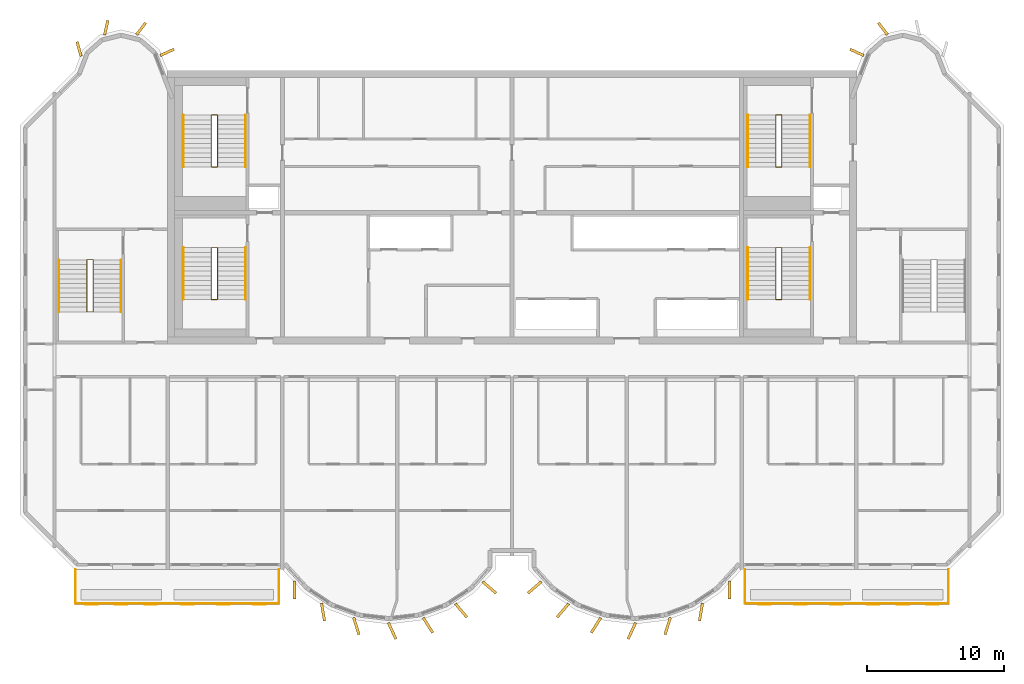
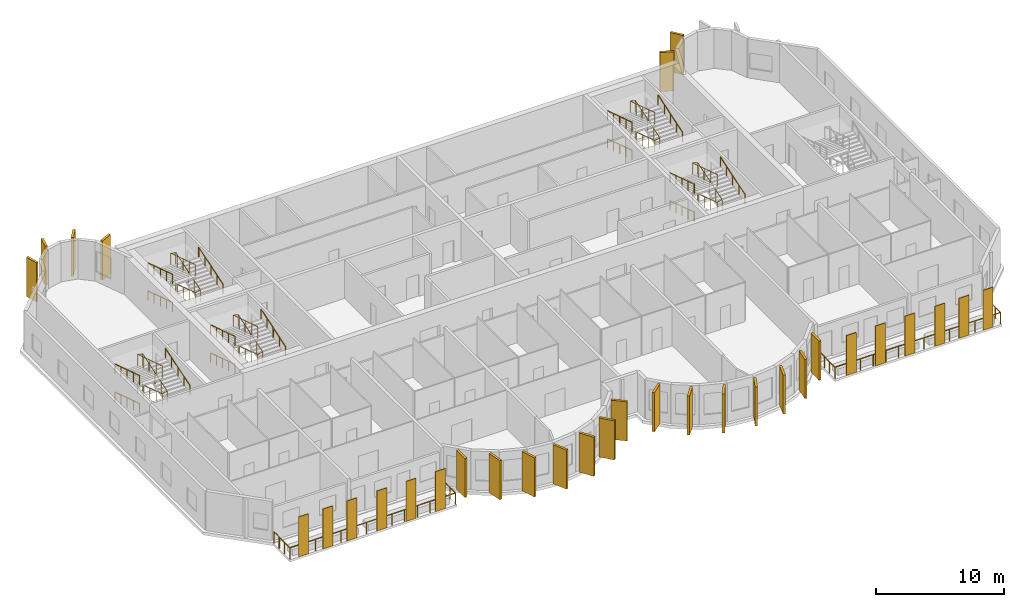
# One storey, part 10 of 12: 32 coverings, 22 railings.
"""IFC4 building model written with IfcOpenShell, lengths in metres."""

from ifc_helpers import new_model, si_unit, direction, frame, origin, origin_2d, place, context, subcontext, project, spatial, rectangle, circle, extrude, source, transform, mapped, material, layer, layer_set, material_profile, profile_set, type_object, element, save


model = new_model("IFC4")

# Units and contexts
model_context = context("Model", 3, precision=1e-05, world=origin(), true_north=direction((0.0, 1.0)))
body_context = subcontext(model_context, "Body", "Model", "MODEL_VIEW")
ifc_project = project(units=[si_unit("LENGTHUNIT", "METRE"), si_unit("AREAUNIT", "SQUARE_METRE"), si_unit("VOLUMEUNIT", "CUBIC_METRE"), si_unit("PLANEANGLEUNIT", "RADIAN"), si_unit("MASSUNIT", "GRAM", prefix="KILO")], contexts=[model_context])

# Site, building, storey
site_placement = place(None, origin())
site = spatial("IfcSite", under=ifc_project, at=site_placement, CompositionType="ELEMENT")
building_placement = place(site_placement, origin())
building = spatial("IfcBuilding", under=site, at=building_placement, Name="Vanashikhar Sky Hotel", CompositionType="ELEMENT")
storey_placement = place(building_placement, frame((0.0, 0.0, 285.699951171875)))
storey = spatial("IfcBuildingStorey", under=building, at=storey_placement, Name="L68", CompositionType="ELEMENT", Elevation=285.699951171875)

# Railings
ifc_material_1 = material(Name="Stainless steel 316", Category="steel")
railing_type_1 = type_object("IfcRailingType", Name="Balcony guard 1100", PredefinedType="GUARDRAIL", material=ifc_material_1)
shared_shape_1 = source(origin(), body_context, "Body", "SweptSolid", [
    extrude(circle(Radius=0.02392578125, at=origin_2d()), frame((0.0, 0.0, 1.076171875), z_axis=(0.0, -1.0, 0.0), x_axis=(1.0, 0.0, 0.0)), (0.0, 0.0, 1.0), 2.5),
    extrude(circle(Radius=0.02392578125, at=origin_2d()), frame((0.0, -2.5, 1.076171875), z_axis=(1.0, 0.0, 0.0), x_axis=(0.0, 1.0, 0.0)), (0.0, 0.0, 1.0), 14.880126953125),
    extrude(circle(Radius=0.02392578125, at=origin_2d()), frame((14.880126953125, -2.5, 1.076171875), z_axis=(0.0, 1.0, 0.0), x_axis=(-1.0, 0.0, 0.0)), (0.0, 0.0, 1.0), 2.5),
    extrude(circle(Radius=0.02099609375, at=origin_2d()), origin(), (0.0, 0.0, 1.0), 1.052001953125),
    extrude(circle(Radius=0.02099609375, at=origin_2d()), frame((0.0, -0.833251953125, 0.0)), (0.0, 0.0, 1.0), 1.052001953125),
    extrude(circle(Radius=0.02099609375, at=origin_2d()), frame((0.0, -1.666748046875, 0.0)), (0.0, 0.0, 1.0), 1.052001953125),
    extrude(circle(Radius=0.02099609375, at=origin_2d()), frame((0.0, -2.5, 0.0)), (0.0, 0.0, 1.0), 1.052001953125),
    extrude(circle(Radius=0.02099609375, at=origin_2d()), frame((1.14453125, -2.5, 0.0)), (0.0, 0.0, 1.0), 1.052001953125),
    extrude(circle(Radius=0.02099609375, at=origin_2d()), frame((2.289306640625, -2.5, 0.0)), (0.0, 0.0, 1.0), 1.052001953125),
    extrude(circle(Radius=0.02099609375, at=origin_2d()), frame((3.433837890625, -2.5, 0.0)), (0.0, 0.0, 1.0), 1.052001953125),
    extrude(circle(Radius=0.02099609375, at=origin_2d()), frame((4.57861328125, -2.5, 0.0)), (0.0, 0.0, 1.0), 1.052001953125),
    extrude(circle(Radius=0.02099609375, at=origin_2d()), frame((5.72314453125, -2.5, 0.0)), (0.0, 0.0, 1.0), 1.052001953125),
    extrude(circle(Radius=0.02099609375, at=origin_2d()), frame((6.86767578125, -2.5, 0.0)), (0.0, 0.0, 1.0), 1.052001953125),
    extrude(circle(Radius=0.02099609375, at=origin_2d()), frame((8.012451171875, -2.5, 0.0)), (0.0, 0.0, 1.0), 1.052001953125),
    extrude(circle(Radius=0.02099609375, at=origin_2d()), frame((9.156982421875, -2.5, 0.0)), (0.0, 0.0, 1.0), 1.052001953125),
    extrude(circle(Radius=0.02099609375, at=origin_2d()), frame((10.301513671875, -2.5, 0.0)), (0.0, 0.0, 1.0), 1.052001953125),
    extrude(circle(Radius=0.02099609375, at=origin_2d()), frame((11.4462890625, -2.5, 0.0)), (0.0, 0.0, 1.0), 1.052001953125),
    extrude(circle(Radius=0.02099609375, at=origin_2d()), frame((12.5908203125, -2.5, 0.0)), (0.0, 0.0, 1.0), 1.052001953125),
    extrude(circle(Radius=0.02099609375, at=origin_2d()), frame((13.735595703125, -2.5, 0.0)), (0.0, 0.0, 1.0), 1.052001953125),
    extrude(circle(Radius=0.02099609375, at=origin_2d()), frame((14.880126953125, -2.5, 0.0)), (0.0, 0.0, 1.0), 1.052001953125),
    extrude(circle(Radius=0.02099609375, at=origin_2d()), frame((14.880126953125, -1.666748046875, 0.0)), (0.0, 0.0, 1.0), 1.052001953125),
    extrude(circle(Radius=0.02099609375, at=origin_2d()), frame((14.880126953125, -0.833251953125, 0.0)), (0.0, 0.0, 1.0), 1.052001953125),
    extrude(circle(Radius=0.02099609375, at=origin_2d()), frame((14.880126953125, 0.0, 0.0)), (0.0, 0.0, 1.0), 1.052001953125),
])
for number, where, name in (
    (1, (18.4599609375, 5.5, -0.050048828125), "Balcony guard"),
    (2, (67.4599609375, 5.5, -0.050048828125), "Balcony guard"),
):
    element("IfcRailing", number, at=place(storey_placement, frame(where)), inside=storey, type_object=railing_type_1, Name=name, PredefinedType="GUARDRAIL", context=body_context, shape_type="MappedRepresentation", body=[
        mapped(shared_shape_1, transform((0.0, 0.0, 0.0), scale=1.0)),
    ])

# Coverings
ifc_material_2 = material(Name="Terracotta", Category="masonry")
ifc_layer = layer(ifc_material_2, 0.06005859375)
ifc_layer_set = layer_set([ifc_layer], Name="Terracotta baguette screen")
covering_type_1 = type_object("IfcCoveringType", Name="Terracotta baguette screen", PredefinedType="CLADDING", material=ifc_layer_set)
shared_shape_2 = source(origin(), body_context, "Body", "SweptSolid", [
    extrude(rectangle(XDim=0.89990234375, YDim=0.06005859375, at=origin_2d()), origin(), (0.0, 0.0, 1.0), 3.800048828125),
])
for number, where, z_axis, x_axis, name in (
    (3, (19.63330078125, 2.929931640625, -0.0498046875), (0.0, 0.0, 1.0), (1.0, 0.0, 0.0), "Terracotta screen"),
    (4, (21.800048828125, 2.929931640625, -0.0498046875), (0.0, 0.0, 1.0), (1.0, 0.0, 0.0), "Terracotta screen"),
    (5, (23.966796875, 2.929931640625, -0.0498046875), (0.0, 0.0, 1.0), (1.0, 0.0, 0.0), "Terracotta screen"),
    (6, (26.666748046875, 2.929931640625, -0.0498046875), (0.0, 0.0, 1.0), (1.0, 0.0, 0.0), "Terracotta screen"),
    (7, (29.300048828125, 2.929931640625, -0.0498046875), (0.0, 0.0, 1.0), (1.0, 0.0, 0.0), "Terracotta screen"),
    (8, (31.933349609375, 2.929931640625, -0.0498046875), (0.0, 0.0, 1.0), (1.0, 0.0, 0.0), "Terracotta screen"),
    (9, (68.86669921875, 2.929931640625, -0.0498046875), (0.0, 0.0, 1.0), (1.0, 0.0, 0.0), "Terracotta screen"),
    (10, (71.5, 2.929931640625, -0.0498046875), (0.0, 0.0, 1.0), (1.0, 0.0, 0.0), "Terracotta screen"),
    (11, (74.13330078125, 2.929931640625, -0.0498046875), (0.0, 0.0, 1.0), (1.0, 0.0, 0.0), "Terracotta screen"),
    (12, (76.833251953125, 2.929931640625, -0.0498046875), (0.0, 0.0, 1.0), (1.0, 0.0, 0.0), "Terracotta screen"),
    (13, (79.0, 2.929931640625, -0.0498046875), (0.0, 0.0, 1.0), (1.0, 0.0, 0.0), "Terracotta screen"),
    (14, (81.166748046875, 2.929931640625, -0.0498046875), (0.0, 0.0, 1.0), (1.0, 0.0, 0.0), "Terracotta screen"),
):
    element("IfcCovering", number, at=place(storey_placement, frame(where, z_axis=z_axis, x_axis=x_axis)), inside=storey, type_object=covering_type_1, Name=name, PredefinedType="CLADDING", context=body_context, shape_type="MappedRepresentation", body=[
        mapped(shared_shape_2, transform((0.0, 0.0, 0.0), scale=1.0)),
    ])
ifc_material_3 = material(Name="Concrete M60 dark", Category="concrete")
ifc_material_profile_1 = material_profile(ifc_material_3, rectangle(XDim=1.300048828125, YDim=0.199951171875, at=origin_2d()))
ifc_profile_set_1 = profile_set([ifc_material_profile_1], Name="Fin 1300 x 200")
covering_type_2 = type_object("IfcCoveringType", Name="Fin 1300 x 200", PredefinedType="CLADDING", material=ifc_profile_set_1)
shared_shape_3 = source(origin(), body_context, "Body", "SweptSolid", [
    extrude(rectangle(XDim=1.300048828125, YDim=0.199951171875, at=origin_2d()), origin(), (0.0, 0.0, 1.0), 3.719970703125),
])
for number, where, z_axis, x_axis, name in (
    (15, (34.482421875, 3.992919921875, 0.0), (0.0, 0.0, 1.0), (0.011588726826, -0.999932848451, 0.0), "Fin F1-1"),
    (16, (36.572509765625, 2.3779296875, 0.0), (0.0, 0.0, 1.0), (0.16989991575, -0.985461322746, 0.0), "Fin F1-2"),
    (17, (39.00830078125, 1.35693359375, 0.0), (0.0, 0.0, 1.0), (0.303966551867, -0.952682704444, 0.0), "Fin F1-3"),
    (18, (41.63232421875, 1.00146484375, 0.0), (0.0, 0.0, 1.0), (0.422618261741, -0.906307787037, 0.0), "Fin F1-4"),
    (19, (44.251953125, 1.416015625, 0.0), (0.0, 0.0, 1.0), (0.534411358496, -0.845224526331, 0.0), "Fin F1-5"),
    (20, (46.676025390625, 2.5, 0.0), (0.0, 0.0, 1.0), (0.645697609467, -0.763593214433, 0.0), "Fin F1-6"),
    (21, (48.7412109375, 4.1845703125, 0.0), (0.0, 0.0, 1.0), (0.758543912032, -0.65162192529, 0.0), "Fin F1-7"),
    (22, (52.058837890625, 4.1845703125, 0.0), (0.0, 0.0, 1.0), (-0.758543912032, -0.65162192529, 0.0), "Fin F2-1"),
    (23, (54.123779296875, 2.5, 0.0), (0.0, 0.0, 1.0), (-0.645697609467, -0.763593214433, 0.0), "Fin F2-2"),
    (24, (56.547119140625, 1.416015625, 0.0), (0.0, 0.0, 1.0), (-0.534411358496, -0.845224526331, 0.0), "Fin F2-3"),
    (25, (59.16748046875, 1.00146484375, 0.0), (0.0, 0.0, 1.0), (-0.422618261741, -0.906307787037, 0.0), "Fin F2-4"),
    (26, (61.790771484375, 1.35693359375, 0.0), (0.0, 0.0, 1.0), (-0.303966551867, -0.952682704444, 0.0), "Fin F2-5"),
    (27, (64.2275390625, 2.3779296875, 0.0), (0.0, 0.0, 1.0), (-0.16989991575, -0.985461322746, 0.0), "Fin F2-6"),
    (28, (66.317626953125, 3.992919921875, 0.0), (0.0, 0.0, 1.0), (-0.011588726826, -0.999932848451, 0.0), "Fin F2-7"),
):
    element("IfcCovering", number, at=place(storey_placement, frame(where, z_axis=z_axis, x_axis=x_axis)), inside=storey, type_object=covering_type_2, Name=name, PredefinedType="CLADDING", context=body_context, shape_type="MappedRepresentation", body=[
        mapped(shared_shape_3, transform((0.0, 0.0, 0.0), scale=1.0)),
    ])
ifc_material_profile_2 = material_profile(ifc_material_3, rectangle(XDim=1.10009765625, YDim=0.199951171875, at=origin_2d()))
ifc_profile_set_2 = profile_set([ifc_material_profile_2], Name="Rear lobe fin 1100 x 200")
covering_type_3 = type_object("IfcCoveringType", Name="Rear lobe fin 1100 x 200", PredefinedType="CLADDING", material=ifc_profile_set_2)
shared_shape_4 = source(origin(), body_context, "Body", "SweptSolid", [
    extrude(rectangle(XDim=1.10009765625, YDim=0.199951171875, at=origin_2d()), origin(), (0.0, 0.0, 1.0), 3.719970703125),
])
for number, where, z_axis, x_axis, name in (
    (29, (18.720703125, 43.580078125, 0.0), (0.0, 0.0, 1.0), (-0.262711264409, 0.964874495234, 0.0), "Fin R1-1"),
    (30, (20.710205078125, 45.1455078125, 0.0), (0.0, 0.0, 1.0), (0.224644935864, 0.974440687159, 0.0), "Fin R1-2"),
    (31, (23.261962890625, 45.06640625, 0.0), (0.0, 0.0, 1.0), (0.602065892195, 0.798446404874, 0.0), "Fin R1-3"),
    (32, (25.169677734375, 43.33447265625, 0.0), (0.0, 0.0, 1.0), (0.908004291068, 0.418960866193, 0.0), "Fin R1-4"),
    (33, (75.63037109375, 43.33447265625, 0.0), (0.0, 0.0, 1.0), (-0.908004291068, 0.418960866193, 0.0), "Fin R2-1"),
    (34, (77.5380859375, 45.06640625, 0.0), (0.0, 0.0, 1.0), (-0.602065892195, 0.798446404874, 0.0), "Fin R2-2"),
):
    element("IfcCovering", number, at=place(storey_placement, frame(where, z_axis=z_axis, x_axis=x_axis)), inside=storey, type_object=covering_type_3, Name=name, PredefinedType="CLADDING", context=body_context, shape_type="MappedRepresentation", body=[
        mapped(shared_shape_4, transform((0.0, 0.0, 0.0), scale=1.0)),
    ])

# Railings
ifc_material_4 = material(Name="Steel S355", Category="steel")
railing_type_2 = type_object("IfcRailingType", Name="Stair guard 1100", PredefinedType="GUARDRAIL", material=ifc_material_4)
shared_shape_5 = source(origin(), body_context, "Body", "SweptSolid", [
    extrude(circle(Radius=0.02392578125, at=origin_2d()), frame((0.0, 0.0, 1.076171875), z_axis=(-0.970881249867, 0.0, 0.239561262847), x_axis=(0.0, -1.0, 0.0)), (0.0, 0.0, 1.0), 0.463623046875),
    extrude(circle(Radius=0.02392578125, at=origin_2d()), frame((-0.4501953125, 0.0, 1.18701171875), z_axis=(0.0, -0.95195790124, 0.306228924607), x_axis=(1.0, 0.0, 0.0)), (0.0, 0.0, 1.0), 3.991943359375),
    extrude(circle(Radius=0.02392578125, at=origin_2d()), frame((-0.4501953125, -3.800048828125, 2.40966796875), z_axis=(0.970881249867, 0.0, 0.239561262847), x_axis=(0.0, 1.0, 0.0)), (0.0, 0.0, 1.0), 0.463623046875),
    extrude(circle(Radius=0.02392578125, at=origin_2d()), frame((0.0, -3.800048828125, 2.5205078125), z_axis=(0.0, 0.95197572919, 0.306173498254), x_axis=(-1.0, 0.0, 0.0)), (0.0, 0.0, 1.0), 3.99169921875),
    extrude(circle(Radius=0.02392578125, at=origin_2d()), frame((0.0, 0.0, 3.74267578125), z_axis=(-0.970881249867, 0.0, 0.239561262847), x_axis=(0.0, -1.0, 0.0)), (0.0, 0.0, 1.0), 0.463623046875),
    extrude(circle(Radius=0.02392578125, at=origin_2d()), frame((-0.4501953125, 0.0, 3.85400390625), z_axis=(0.0, -0.95197572919, 0.306173498254), x_axis=(1.0, 0.0, 0.0)), (0.0, 0.0, 1.0), 3.99169921875),
    extrude(circle(Radius=0.02099609375, at=origin_2d()), origin(), (0.0, 0.0, 1.0), 1.052001953125),
    extrude(circle(Radius=0.02099609375, at=origin_2d()), frame((-0.4501953125, 0.0, 0.111083984375)), (0.0, 0.0, 1.0), 1.052001953125),
    extrude(circle(Radius=0.02099609375, at=origin_2d()), frame((-0.4501953125, -0.949951171875, 0.416748046875)), (0.0, 0.0, 1.0), 1.052001953125),
    extrude(circle(Radius=0.02099609375, at=origin_2d()), frame((-0.4501953125, -1.89990234375, 0.72216796875)), (0.0, 0.0, 1.0), 1.052001953125),
    extrude(circle(Radius=0.02099609375, at=origin_2d()), frame((-0.4501953125, -2.85009765625, 1.02783203125)), (0.0, 0.0, 1.0), 1.052001953125),
    extrude(circle(Radius=0.02099609375, at=origin_2d()), frame((-0.4501953125, -3.800048828125, 1.33349609375)), (0.0, 0.0, 1.0), 1.052001953125),
    extrude(circle(Radius=0.02099609375, at=origin_2d()), frame((0.0, -3.800048828125, 1.444580078125)), (0.0, 0.0, 1.0), 1.052001953125),
    extrude(circle(Radius=0.02099609375, at=origin_2d()), frame((0.0, -2.85009765625, 1.75)), (0.0, 0.0, 1.0), 1.052001953125),
    extrude(circle(Radius=0.02099609375, at=origin_2d()), frame((0.0, -1.89990234375, 2.0556640625)), (0.0, 0.0, 1.0), 1.052001953125),
    extrude(circle(Radius=0.02099609375, at=origin_2d()), frame((0.0, -0.949951171875, 2.361328125)), (0.0, 0.0, 1.0), 1.052001953125),
    extrude(circle(Radius=0.02099609375, at=origin_2d()), frame((0.0, 0.0, 2.666748046875)), (0.0, 0.0, 1.0), 1.052001953125),
    extrude(circle(Radius=0.02099609375, at=origin_2d()), frame((-0.4501953125, 0.0, 2.77783203125)), (0.0, 0.0, 1.0), 1.052001953125),
    extrude(circle(Radius=0.02099609375, at=origin_2d()), frame((-0.4501953125, -0.949951171875, 3.08349609375)), (0.0, 0.0, 1.0), 1.052001953125),
    extrude(circle(Radius=0.02099609375, at=origin_2d()), frame((-0.4501953125, -1.89990234375, 3.388916015625)), (0.0, 0.0, 1.0), 1.052001953125),
    extrude(circle(Radius=0.02099609375, at=origin_2d()), frame((-0.4501953125, -2.85009765625, 3.6943359375)), (0.0, 0.0, 1.0), 1.052001953125),
    extrude(circle(Radius=0.02099609375, at=origin_2d()), frame((-0.4501953125, -3.800048828125, 4.0)), (0.0, 0.0, 1.0), 1.052001953125),
])
for number, where, name in (
    (35, (28.85009765625, 29.050048828125, 0.0), "Exit stair 1 guard"),
    (36, (28.85009765625, 38.75, 0.0), "Exit stair 5 guard"),
):
    element("IfcRailing", number, at=place(storey_placement, frame(where)), inside=storey, type_object=railing_type_2, Name=name, PredefinedType="GUARDRAIL", context=body_context, shape_type="MappedRepresentation", body=[
        mapped(shared_shape_5, transform((0.0, 0.0, 0.0), scale=1.0)),
    ])
railing_type_3 = type_object("IfcRailingType", Name="Stair handrail 900", PredefinedType="HANDRAIL", material=ifc_material_4)
shared_shape_6 = source(origin(), body_context, "Body", "SweptSolid", [
    extrude(circle(Radius=0.02392578125, at=origin_2d()), frame((0.0, 0.0, 0.8759765625), z_axis=(0.0, -0.95195790124, 0.306228924607), x_axis=(1.0, 0.0, 0.0)), (0.0, 0.0, 1.0), 3.991943359375),
    extrude(circle(Radius=0.02099609375, at=origin_2d()), origin(), (0.0, 0.0, 1.0), 0.851806640625),
    extrude(circle(Radius=0.02099609375, at=origin_2d()), frame((0.0, -0.949951171875, 0.3056640625)), (0.0, 0.0, 1.0), 0.851806640625),
    extrude(circle(Radius=0.02099609375, at=origin_2d()), frame((0.0, -1.89990234375, 0.611328125)), (0.0, 0.0, 1.0), 0.851806640625),
    extrude(circle(Radius=0.02099609375, at=origin_2d()), frame((0.0, -2.85009765625, 0.916748046875)), (0.0, 0.0, 1.0), 0.851806640625),
    extrude(circle(Radius=0.02099609375, at=origin_2d()), frame((0.0, -3.800048828125, 1.222412109375)), (0.0, 0.0, 1.0), 0.851806640625),
])
for number, where, name in (
    (37, (26.35009765625, 29.050048828125, 0.111083984375), "Exit stair 1 handrail"),
    (38, (67.64990234375, 29.050048828125, 0.111083984375), "Exit stair 2 handrail"),
    (39, (26.35009765625, 38.75, 0.111083984375), "Exit stair 5 handrail"),
    (40, (67.64990234375, 38.75, 0.111083984375), "Exit stair 6 handrail"),
):
    element("IfcRailing", number, at=place(storey_placement, frame(where)), inside=storey, type_object=railing_type_3, Name=name, PredefinedType="HANDRAIL", context=body_context, shape_type="MappedRepresentation", body=[
        mapped(shared_shape_6, transform((0.0, 0.0, 0.0), scale=1.0)),
    ])
shared_shape_7 = source(origin(), body_context, "Body", "SweptSolid", [
    extrude(circle(Radius=0.02392578125, at=origin_2d()), frame((0.0, 0.0, 0.8759765625), z_axis=(0.0, 0.95197572919, 0.306173498254), x_axis=(-1.0, 0.0, 0.0)), (0.0, 0.0, 1.0), 3.99169921875),
    extrude(circle(Radius=0.02099609375, at=origin_2d()), origin(), (0.0, 0.0, 1.0), 0.851806640625),
    extrude(circle(Radius=0.02099609375, at=origin_2d()), frame((0.0, 0.949951171875, 0.3056640625)), (0.0, 0.0, 1.0), 0.851806640625),
    extrude(circle(Radius=0.02099609375, at=origin_2d()), frame((0.0, 1.89990234375, 0.611083984375)), (0.0, 0.0, 1.0), 0.851806640625),
    extrude(circle(Radius=0.02099609375, at=origin_2d()), frame((0.0, 2.85009765625, 0.91650390625)), (0.0, 0.0, 1.0), 0.851806640625),
    extrude(circle(Radius=0.02099609375, at=origin_2d()), frame((0.0, 3.800048828125, 1.22216796875)), (0.0, 0.0, 1.0), 0.851806640625),
])
for number, where, name in (
    (41, (30.89990234375, 25.25, 1.444580078125), "Exit stair 1 handrail"),
    (42, (72.199951171875, 25.25, 1.444580078125), "Exit stair 2 handrail"),
    (43, (30.89990234375, 34.949951171875, 1.444580078125), "Exit stair 5 handrail"),
    (44, (72.199951171875, 34.949951171875, 1.444580078125), "Exit stair 6 handrail"),
):
    element("IfcRailing", number, at=place(storey_placement, frame(where)), inside=storey, type_object=railing_type_3, Name=name, PredefinedType="HANDRAIL", context=body_context, shape_type="MappedRepresentation", body=[
        mapped(shared_shape_7, transform((0.0, 0.0, 0.0), scale=1.0)),
    ])
shared_shape_8 = source(origin(), body_context, "Body", "SweptSolid", [
    extrude(circle(Radius=0.02392578125, at=origin_2d()), frame((0.0, 0.0, 0.8759765625), z_axis=(0.0, -0.95197572919, 0.306173498254), x_axis=(1.0, 0.0, 0.0)), (0.0, 0.0, 1.0), 3.99169921875),
    extrude(circle(Radius=0.02099609375, at=origin_2d()), origin(), (0.0, 0.0, 1.0), 0.851806640625),
    extrude(circle(Radius=0.02099609375, at=origin_2d()), frame((0.0, -0.949951171875, 0.3056640625)), (0.0, 0.0, 1.0), 0.851806640625),
    extrude(circle(Radius=0.02099609375, at=origin_2d()), frame((0.0, -1.89990234375, 0.611083984375)), (0.0, 0.0, 1.0), 0.851806640625),
    extrude(circle(Radius=0.02099609375, at=origin_2d()), frame((0.0, -2.85009765625, 0.91650390625)), (0.0, 0.0, 1.0), 0.851806640625),
    extrude(circle(Radius=0.02099609375, at=origin_2d()), frame((0.0, -3.800048828125, 1.22216796875)), (0.0, 0.0, 1.0), 0.851806640625),
])
for number, where, name in (
    (45, (26.35009765625, 29.050048828125, 2.77783203125), "Exit stair 1 handrail"),
    (46, (67.64990234375, 29.050048828125, 2.77783203125), "Exit stair 2 handrail"),
    (47, (26.35009765625, 38.75, 2.77783203125), "Exit stair 5 handrail"),
    (48, (67.64990234375, 38.75, 2.77783203125), "Exit stair 6 handrail"),
):
    element("IfcRailing", number, at=place(storey_placement, frame(where)), inside=storey, type_object=railing_type_3, Name=name, PredefinedType="HANDRAIL", context=body_context, shape_type="MappedRepresentation", body=[
        mapped(shared_shape_8, transform((0.0, 0.0, 0.0), scale=1.0)),
    ])
shared_shape_9 = source(origin(), body_context, "Body", "SweptSolid", [
    extrude(circle(Radius=0.02392578125, at=origin_2d()), frame((0.0, 0.0, 1.076171875), z_axis=(-0.970851010584, 0.0, 0.239683781777), x_axis=(0.0, -1.0, 0.0)), (0.0, 0.0, 1.0), 0.46337890625),
    extrude(circle(Radius=0.02392578125, at=origin_2d()), frame((-0.449951171875, 0.0, 1.18701171875), z_axis=(0.0, -0.95195790124, 0.306228924607), x_axis=(1.0, 0.0, 0.0)), (0.0, 0.0, 1.0), 3.991943359375),
    extrude(circle(Radius=0.02392578125, at=origin_2d()), frame((-0.449951171875, -3.800048828125, 2.40966796875), z_axis=(0.970851010584, 0.0, 0.239683781777), x_axis=(0.0, 1.0, 0.0)), (0.0, 0.0, 1.0), 0.46337890625),
    extrude(circle(Radius=0.02392578125, at=origin_2d()), frame((0.0, -3.800048828125, 2.5205078125), z_axis=(0.0, 0.95197572919, 0.306173498254), x_axis=(-1.0, 0.0, 0.0)), (0.0, 0.0, 1.0), 3.99169921875),
    extrude(circle(Radius=0.02392578125, at=origin_2d()), frame((0.0, 0.0, 3.74267578125), z_axis=(-0.970851010584, 0.0, 0.239683781777), x_axis=(0.0, -1.0, 0.0)), (0.0, 0.0, 1.0), 0.46337890625),
    extrude(circle(Radius=0.02392578125, at=origin_2d()), frame((-0.449951171875, 0.0, 3.85400390625), z_axis=(0.0, -0.95197572919, 0.306173498254), x_axis=(1.0, 0.0, 0.0)), (0.0, 0.0, 1.0), 3.99169921875),
    extrude(circle(Radius=0.02099609375, at=origin_2d()), origin(), (0.0, 0.0, 1.0), 1.052001953125),
    extrude(circle(Radius=0.02099609375, at=origin_2d()), frame((-0.449951171875, 0.0, 0.111083984375)), (0.0, 0.0, 1.0), 1.052001953125),
    extrude(circle(Radius=0.02099609375, at=origin_2d()), frame((-0.449951171875, -0.949951171875, 0.416748046875)), (0.0, 0.0, 1.0), 1.052001953125),
    extrude(circle(Radius=0.02099609375, at=origin_2d()), frame((-0.449951171875, -1.89990234375, 0.72216796875)), (0.0, 0.0, 1.0), 1.052001953125),
    extrude(circle(Radius=0.02099609375, at=origin_2d()), frame((-0.449951171875, -2.85009765625, 1.02783203125)), (0.0, 0.0, 1.0), 1.052001953125),
    extrude(circle(Radius=0.02099609375, at=origin_2d()), frame((-0.449951171875, -3.800048828125, 1.33349609375)), (0.0, 0.0, 1.0), 1.052001953125),
    extrude(circle(Radius=0.02099609375, at=origin_2d()), frame((0.0, -3.800048828125, 1.444580078125)), (0.0, 0.0, 1.0), 1.052001953125),
    extrude(circle(Radius=0.02099609375, at=origin_2d()), frame((0.0, -2.85009765625, 1.75)), (0.0, 0.0, 1.0), 1.052001953125),
    extrude(circle(Radius=0.02099609375, at=origin_2d()), frame((0.0, -1.89990234375, 2.0556640625)), (0.0, 0.0, 1.0), 1.052001953125),
    extrude(circle(Radius=0.02099609375, at=origin_2d()), frame((0.0, -0.949951171875, 2.361328125)), (0.0, 0.0, 1.0), 1.052001953125),
    extrude(circle(Radius=0.02099609375, at=origin_2d()), frame((0.0, 0.0, 2.666748046875)), (0.0, 0.0, 1.0), 1.052001953125),
    extrude(circle(Radius=0.02099609375, at=origin_2d()), frame((-0.449951171875, 0.0, 2.77783203125)), (0.0, 0.0, 1.0), 1.052001953125),
    extrude(circle(Radius=0.02099609375, at=origin_2d()), frame((-0.449951171875, -0.949951171875, 3.08349609375)), (0.0, 0.0, 1.0), 1.052001953125),
    extrude(circle(Radius=0.02099609375, at=origin_2d()), frame((-0.449951171875, -1.89990234375, 3.388916015625)), (0.0, 0.0, 1.0), 1.052001953125),
    extrude(circle(Radius=0.02099609375, at=origin_2d()), frame((-0.449951171875, -2.85009765625, 3.6943359375)), (0.0, 0.0, 1.0), 1.052001953125),
    extrude(circle(Radius=0.02099609375, at=origin_2d()), frame((-0.449951171875, -3.800048828125, 4.0)), (0.0, 0.0, 1.0), 1.052001953125),
])
for number, where, name in (
    (49, (70.14990234375, 29.050048828125, 0.0), "Exit stair 2 guard"),
    (50, (70.14990234375, 38.75, 0.0), "Exit stair 6 guard"),
):
    element("IfcRailing", number, at=place(storey_placement, frame(where)), inside=storey, type_object=railing_type_2, Name=name, PredefinedType="GUARDRAIL", context=body_context, shape_type="MappedRepresentation", body=[
        mapped(shared_shape_9, transform((0.0, 0.0, 0.0), scale=1.0)),
    ])
shared_shape_10 = source(origin(), body_context, "Body", "SweptSolid", [
    extrude(circle(Radius=0.02392578125, at=origin_2d()), frame((0.0, 0.0, 1.076171875), z_axis=(-0.970851010584, 0.0, 0.239683781777), x_axis=(0.0, -1.0, 0.0)), (0.0, 0.0, 1.0), 0.46337890625),
    extrude(circle(Radius=0.02392578125, at=origin_2d()), frame((-0.449951171875, 0.0, 1.18701171875), z_axis=(0.0, -0.951952165375, 0.306246754821), x_axis=(1.0, 0.0, 0.0)), (0.0, 0.0, 1.0), 3.99169921875),
    extrude(circle(Radius=0.02392578125, at=origin_2d()), frame((-0.449951171875, -3.7998046875, 2.40966796875), z_axis=(0.970851010584, 0.0, 0.239683781777), x_axis=(0.0, 1.0, 0.0)), (0.0, 0.0, 1.0), 0.46337890625),
    extrude(circle(Radius=0.02392578125, at=origin_2d()), frame((0.0, -3.7998046875, 2.5205078125), z_axis=(0.0, 0.951969995293, 0.306191325908), x_axis=(-1.0, 0.0, 0.0)), (0.0, 0.0, 1.0), 3.991455078125),
    extrude(circle(Radius=0.02392578125, at=origin_2d()), frame((0.0, 0.0, 3.74267578125), z_axis=(-0.970851010584, 0.0, 0.239683781777), x_axis=(0.0, -1.0, 0.0)), (0.0, 0.0, 1.0), 0.46337890625),
    extrude(circle(Radius=0.02392578125, at=origin_2d()), frame((-0.449951171875, 0.0, 3.85400390625), z_axis=(0.0, -0.951969995293, 0.306191325908), x_axis=(1.0, 0.0, 0.0)), (0.0, 0.0, 1.0), 3.991455078125),
    extrude(circle(Radius=0.02099609375, at=origin_2d()), origin(), (0.0, 0.0, 1.0), 1.052001953125),
    extrude(circle(Radius=0.02099609375, at=origin_2d()), frame((-0.449951171875, 0.0, 0.111083984375)), (0.0, 0.0, 1.0), 1.052001953125),
    extrude(circle(Radius=0.02099609375, at=origin_2d()), frame((-0.449951171875, -0.949951171875, 0.416748046875)), (0.0, 0.0, 1.0), 1.052001953125),
    extrude(circle(Radius=0.02099609375, at=origin_2d()), frame((-0.449951171875, -1.89990234375, 0.72216796875)), (0.0, 0.0, 1.0), 1.052001953125),
    extrude(circle(Radius=0.02099609375, at=origin_2d()), frame((-0.449951171875, -2.849853515625, 1.02783203125)), (0.0, 0.0, 1.0), 1.052001953125),
    extrude(circle(Radius=0.02099609375, at=origin_2d()), frame((-0.449951171875, -3.7998046875, 1.33349609375)), (0.0, 0.0, 1.0), 1.052001953125),
    extrude(circle(Radius=0.02099609375, at=origin_2d()), frame((0.0, -3.7998046875, 1.444580078125)), (0.0, 0.0, 1.0), 1.052001953125),
    extrude(circle(Radius=0.02099609375, at=origin_2d()), frame((0.0, -2.849853515625, 1.75)), (0.0, 0.0, 1.0), 1.052001953125),
    extrude(circle(Radius=0.02099609375, at=origin_2d()), frame((0.0, -1.89990234375, 2.0556640625)), (0.0, 0.0, 1.0), 1.052001953125),
    extrude(circle(Radius=0.02099609375, at=origin_2d()), frame((0.0, -0.949951171875, 2.361328125)), (0.0, 0.0, 1.0), 1.052001953125),
    extrude(circle(Radius=0.02099609375, at=origin_2d()), frame((0.0, 0.0, 2.666748046875)), (0.0, 0.0, 1.0), 1.052001953125),
    extrude(circle(Radius=0.02099609375, at=origin_2d()), frame((-0.449951171875, 0.0, 2.77783203125)), (0.0, 0.0, 1.0), 1.052001953125),
    extrude(circle(Radius=0.02099609375, at=origin_2d()), frame((-0.449951171875, -0.949951171875, 3.08349609375)), (0.0, 0.0, 1.0), 1.052001953125),
    extrude(circle(Radius=0.02099609375, at=origin_2d()), frame((-0.449951171875, -1.89990234375, 3.388916015625)), (0.0, 0.0, 1.0), 1.052001953125),
    extrude(circle(Radius=0.02099609375, at=origin_2d()), frame((-0.449951171875, -2.849853515625, 3.6943359375)), (0.0, 0.0, 1.0), 1.052001953125),
    extrude(circle(Radius=0.02099609375, at=origin_2d()), frame((-0.449951171875, -3.7998046875, 4.0)), (0.0, 0.0, 1.0), 1.052001953125),
])
railing_1_placement = place(storey_placement, frame((19.75, 28.14990234375, 0.0)))
element("IfcRailing", 51, at=railing_1_placement, inside=storey, type_object=railing_type_2, Name="Exit stair 3 guard", PredefinedType="GUARDRAIL", context=body_context, shape_type="MappedRepresentation", body=[
    mapped(shared_shape_10, transform((0.0, 0.0, 0.0), scale=1.0)),
])
shared_shape_11 = source(origin(), body_context, "Body", "SweptSolid", [
    extrude(circle(Radius=0.02392578125, at=origin_2d()), frame((0.0, 0.0, 0.8759765625), z_axis=(0.0, -0.951952165375, 0.306246754821), x_axis=(1.0, 0.0, 0.0)), (0.0, 0.0, 1.0), 3.99169921875),
    extrude(circle(Radius=0.02099609375, at=origin_2d()), origin(), (0.0, 0.0, 1.0), 0.851806640625),
    extrude(circle(Radius=0.02099609375, at=origin_2d()), frame((0.0, -0.949951171875, 0.3056640625)), (0.0, 0.0, 1.0), 0.851806640625),
    extrude(circle(Radius=0.02099609375, at=origin_2d()), frame((0.0, -1.89990234375, 0.611328125)), (0.0, 0.0, 1.0), 0.851806640625),
    extrude(circle(Radius=0.02099609375, at=origin_2d()), frame((0.0, -2.849853515625, 0.916748046875)), (0.0, 0.0, 1.0), 0.851806640625),
    extrude(circle(Radius=0.02099609375, at=origin_2d()), frame((0.0, -3.7998046875, 1.222412109375)), (0.0, 0.0, 1.0), 0.851806640625),
])
railing_2_placement = place(storey_placement, frame((17.25, 28.14990234375, 0.111083984375)))
element("IfcRailing", 52, at=railing_2_placement, inside=storey, type_object=railing_type_3, Name="Exit stair 3 handrail", PredefinedType="HANDRAIL", context=body_context, shape_type="MappedRepresentation", body=[
    mapped(shared_shape_11, transform((0.0, 0.0, 0.0), scale=1.0)),
])
shared_shape_12 = source(origin(), body_context, "Body", "SweptSolid", [
    extrude(circle(Radius=0.02392578125, at=origin_2d()), frame((0.0, 0.0, 0.8759765625), z_axis=(0.0, 0.951969995293, 0.306191325908), x_axis=(-1.0, 0.0, 0.0)), (0.0, 0.0, 1.0), 3.991455078125),
    extrude(circle(Radius=0.02099609375, at=origin_2d()), origin(), (0.0, 0.0, 1.0), 0.851806640625),
    extrude(circle(Radius=0.02099609375, at=origin_2d()), frame((0.0, 0.949951171875, 0.3056640625)), (0.0, 0.0, 1.0), 0.851806640625),
    extrude(circle(Radius=0.02099609375, at=origin_2d()), frame((0.0, 1.89990234375, 0.611083984375)), (0.0, 0.0, 1.0), 0.851806640625),
    extrude(circle(Radius=0.02099609375, at=origin_2d()), frame((0.0, 2.849853515625, 0.91650390625)), (0.0, 0.0, 1.0), 0.851806640625),
    extrude(circle(Radius=0.02099609375, at=origin_2d()), frame((0.0, 3.7998046875, 1.22216796875)), (0.0, 0.0, 1.0), 0.851806640625),
])
railing_3_placement = place(storey_placement, frame((21.800048828125, 24.35009765625, 1.444580078125)))
element("IfcRailing", 53, at=railing_3_placement, inside=storey, type_object=railing_type_3, Name="Exit stair 3 handrail", PredefinedType="HANDRAIL", context=body_context, shape_type="MappedRepresentation", body=[
    mapped(shared_shape_12, transform((0.0, 0.0, 0.0), scale=1.0)),
])
shared_shape_13 = source(origin(), body_context, "Body", "SweptSolid", [
    extrude(circle(Radius=0.02392578125, at=origin_2d()), frame((0.0, 0.0, 0.8759765625), z_axis=(0.0, -0.951969995293, 0.306191325908), x_axis=(1.0, 0.0, 0.0)), (0.0, 0.0, 1.0), 3.991455078125),
    extrude(circle(Radius=0.02099609375, at=origin_2d()), origin(), (0.0, 0.0, 1.0), 0.851806640625),
    extrude(circle(Radius=0.02099609375, at=origin_2d()), frame((0.0, -0.949951171875, 0.3056640625)), (0.0, 0.0, 1.0), 0.851806640625),
    extrude(circle(Radius=0.02099609375, at=origin_2d()), frame((0.0, -1.89990234375, 0.611083984375)), (0.0, 0.0, 1.0), 0.851806640625),
    extrude(circle(Radius=0.02099609375, at=origin_2d()), frame((0.0, -2.849853515625, 0.91650390625)), (0.0, 0.0, 1.0), 0.851806640625),
    extrude(circle(Radius=0.02099609375, at=origin_2d()), frame((0.0, -3.7998046875, 1.22216796875)), (0.0, 0.0, 1.0), 0.851806640625),
])
railing_4_placement = place(storey_placement, frame((17.25, 28.14990234375, 2.77783203125)))
element("IfcRailing", 54, at=railing_4_placement, inside=storey, type_object=railing_type_3, Name="Exit stair 3 handrail", PredefinedType="HANDRAIL", context=body_context, shape_type="MappedRepresentation", body=[
    mapped(shared_shape_13, transform((0.0, 0.0, 0.0), scale=1.0)),
])

save(model, "model.ifc")
